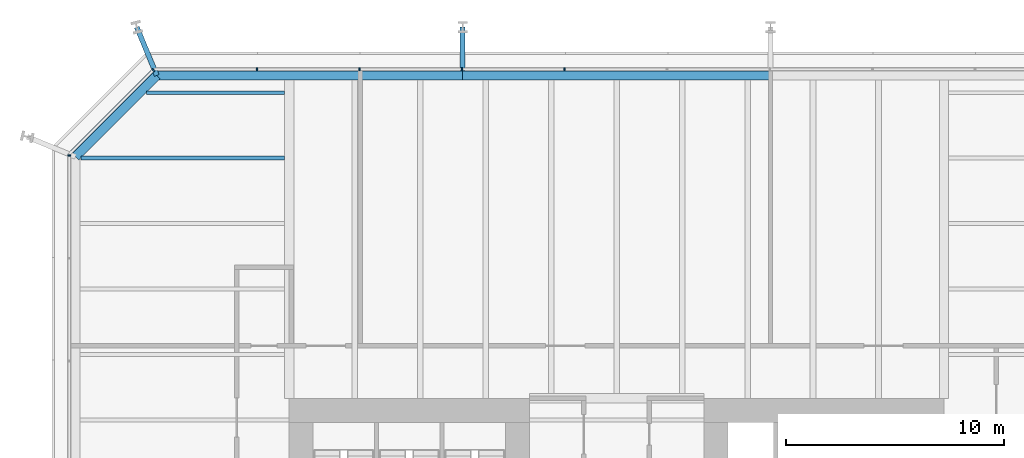
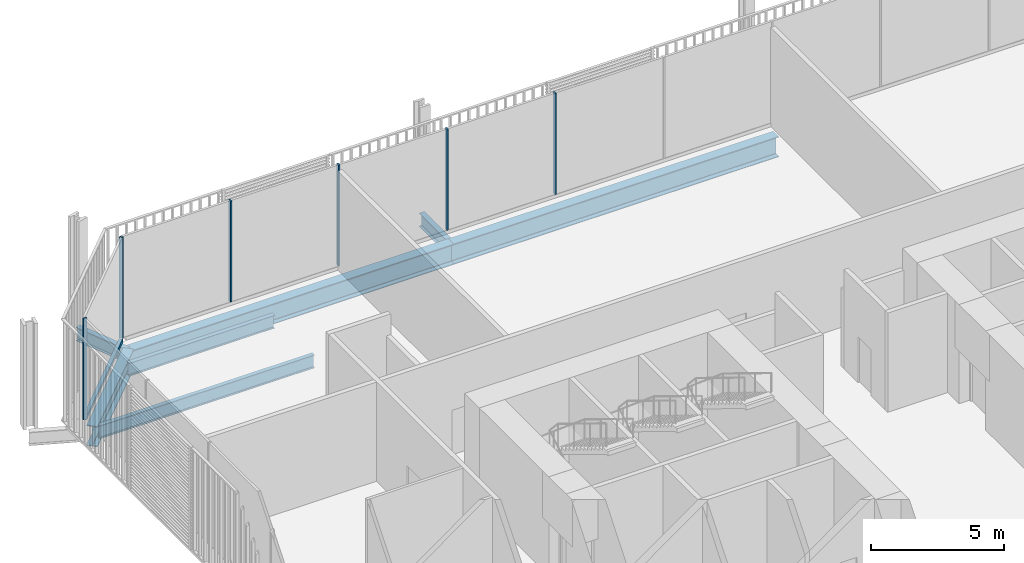
# One storey, part 14 of 22: 7 beams, 7 members, 3 elements without a shape of their own.
"""IFC4 building model written with IfcOpenShell, lengths in metres."""

from ifc_helpers import new_model, si_unit, direction, frame, origin, origin_2d, place, context, subcontext, project, spatial, rectangle, i_section, extrude, material, layer, layer_set, material_profile, profile_set, type_object, element, aggregate, save


model = new_model("IFC4")

# Units and contexts
model_context = context("Model", 3, precision=1e-05, world=origin(), true_north=direction((0.0, 1.0)))
body_context = subcontext(model_context, "Body", "Model", "MODEL_VIEW")
ifc_project = project(units=[si_unit("LENGTHUNIT", "METRE"), si_unit("AREAUNIT", "SQUARE_METRE"), si_unit("VOLUMEUNIT", "CUBIC_METRE"), si_unit("PLANEANGLEUNIT", "RADIAN"), si_unit("MASSUNIT", "GRAM", prefix="KILO")], contexts=[model_context])

# Site, building, storey
site_placement = place(None, origin())
site = spatial("IfcSite", under=ifc_project, at=site_placement, CompositionType="ELEMENT")
building_placement = place(site_placement, origin())
building = spatial("IfcBuilding", under=site, at=building_placement, Name="Millrace Tower", CompositionType="ELEMENT")
storey_placement = place(building_placement, frame((0.0, 0.0, 59.300048828125)))
storey = spatial("IfcBuildingStorey", under=building, at=storey_placement, Name="L13", CompositionType="ELEMENT", Elevation=59.300048828125)

# Curtain wall, members
ifc_material_1 = material(Name="Aluminium and glass", Category="aluminium")
ifc_layer = layer(ifc_material_1, 0.14990234375)
ifc_layer_set = layer_set([ifc_layer], Name="Aluminium and glass")
curtain_wall_type = type_object("IfcCurtainWallType", Name="CW-2 data hall insulated curtain wall", PredefinedType="NOTDEFINED", material=ifc_layer_set)
placement = place(storey_placement, origin())
curtain_wall_1 = element("IfcCurtainWall", 1, at=placement, inside=storey, type_object=curtain_wall_type, Name="Curtain wall A-F06 L13", PredefinedType="NOTDEFINED")
ifc_material_2 = material(Name="Aluminium", Category="aluminium")
ifc_material_profile_1 = material_profile(ifc_material_2, rectangle(XDim=0.06494140625, YDim=0.14990234375, at=origin_2d()))
ifc_profile_set_1 = profile_set([ifc_material_profile_1], Name="Aluminium")
member_type_1 = type_object("IfcMemberType", Name="CW-2 data hall insulated curtain wall mullion", PredefinedType="MULLION", material=ifc_profile_set_1)
member_1_placement = place(storey_placement, frame((-2.382568359375, 25.074951171875, 0.159912109375), z_axis=(0.0, 0.0, 1.0), x_axis=(-1.0, 0.0, 0.0)))
member_1 = element("IfcMember", 2, at=member_1_placement, type_object=member_type_1, Name="CW2 mullion A-F06.6", PredefinedType="MULLION", context=body_context, shape_type="SweptSolid", body=[
    extrude(rectangle(XDim=0.06494140625, YDim=0.14990234375, at=origin_2d()), origin(), (0.0, 0.0, 1.0), 4.64013671875),
])
member_2_placement = place(storey_placement, frame((-7.08251953125, 25.074951171875, 0.159912109375), z_axis=(0.0, 0.0, 1.0), x_axis=(-1.0, 0.0, 0.0)))
member_2 = element("IfcMember", 3, at=member_2_placement, type_object=member_type_1, Name="CW2 mullion A-F06.7", PredefinedType="MULLION", context=body_context, shape_type="SweptSolid", body=[
    extrude(rectangle(XDim=0.06494140625, YDim=0.14990234375, at=origin_2d()), origin(), (0.0, 0.0, 1.0), 4.64013671875),
])
member_3_placement = place(storey_placement, frame((-11.782470703125, 25.074951171875, 0.159912109375), z_axis=(0.0, 0.0, 1.0), x_axis=(-1.0, 0.0, 0.0)))
member_3 = element("IfcMember", 4, at=member_3_placement, type_object=member_type_1, Name="CW2 mullion A-F06.8", PredefinedType="MULLION", context=body_context, shape_type="SweptSolid", body=[
    extrude(rectangle(XDim=0.06494140625, YDim=0.14990234375, at=origin_2d()), origin(), (0.0, 0.0, 1.0), 4.64013671875),
])
member_4_placement = place(storey_placement, frame((-16.482421875, 25.074951171875, 0.159912109375), z_axis=(0.0, 0.0, 1.0), x_axis=(-1.0, 0.0, 0.0)))
member_4 = element("IfcMember", 5, at=member_4_placement, type_object=member_type_1, Name="CW2 mullion A-F06.9", PredefinedType="MULLION", context=body_context, shape_type="SweptSolid", body=[
    extrude(rectangle(XDim=0.06494140625, YDim=0.14990234375, at=origin_2d()), origin(), (0.0, 0.0, 1.0), 4.64013671875),
])
aggregate(curtain_wall_1, [member_1, member_2, member_3, member_4])

# Curtain wall, member
curtain_wall_2 = element("IfcCurtainWall", 6, at=placement, inside=storey, type_object=curtain_wall_type, Name="Curtain wall A-F07 L13", PredefinedType="NOTDEFINED")
member_5_placement = place(storey_placement, frame((-21.22607421875, 25.030029296875, 0.159912109375), z_axis=(0.0, 0.0, 1.0), x_axis=(-0.707106781187, -0.707106781187, 0.0)))
member_5 = element("IfcMember", 7, at=member_5_placement, type_object=member_type_1, Name="CW2 mullion A-F07.1", PredefinedType="MULLION", context=body_context, shape_type="SweptSolid", body=[
    extrude(rectangle(XDim=0.06494140625, YDim=0.14990234375, at=origin_2d()), origin(), (0.0, 0.0, 1.0), 4.64013671875),
])

curtain_wall_3 = element("IfcCurtainWall", 8, at=placement, inside=storey, type_object=curtain_wall_type, Name="Curtain wall A-F08 L13", PredefinedType="NOTDEFINED")
member_6_placement = place(storey_placement, frame((-25.074951171875, 21.117431640625, 0.159912109375), z_axis=(0.0, 0.0, 1.0), x_axis=(0.0, -1.0, 0.0)))
member_6 = element("IfcMember", 9, at=member_6_placement, type_object=member_type_1, Name="CW2 mullion A-F08.1", PredefinedType="MULLION", context=body_context, shape_type="SweptSolid", body=[
    extrude(rectangle(XDim=0.06494140625, YDim=0.14990234375, at=origin_2d()), origin(), (0.0, 0.0, 1.0), 4.64013671875),
])
aggregate(curtain_wall_3, [member_6])

# Member
ifc_material_3 = material(Name="Aluminium", Category="aluminium")
ifc_material_profile_2 = material_profile(ifc_material_3, rectangle(XDim=0.14990234375, YDim=0.159912109375, at=origin_2d()))
ifc_profile_set_2 = profile_set([ifc_material_profile_2], Name="Aluminium")
member_type_2 = type_object("IfcMemberType", Name="CW-2 data hall insulated curtain wall transom", PredefinedType="USERDEFINED", material=ifc_profile_set_2)
member_7_placement = place(storey_placement, frame((-21.273681640625, 24.982421875, 0.079833984375), z_axis=(-0.707106781187, -0.707106781187, 0.0), x_axis=(0.707106781187, -0.707106781187, 0.0)))
member_7 = element("IfcMember", 10, at=member_7_placement, type_object=member_type_2, Name="CW2 transom A-F07.1", ObjectType="TRANSOM", PredefinedType="USERDEFINED", context=body_context, shape_type="SweptSolid", body=[
    extrude(rectangle(XDim=0.14990234375, YDim=0.159912109375, at=origin_2d()), origin(), (0.0, 0.0, 1.0), 5.244873046875),
])

aggregate(curtain_wall_2, [member_5, member_7])

# Beams
ifc_material_4 = material(Name="Steel ASTM A992 Grade 50", Category="steel")
ifc_material_profile_3 = material_profile(ifc_material_4, i_section(OverallWidth=0.177978515625, OverallDepth=0.599365234375, WebThickness=0.010009765625, FlangeThickness=0.012939453125, FilletRadius=0.012939453125, at=origin_2d()))
ifc_profile_set_3 = profile_set([ifc_material_profile_3], Name="Steel ASTM A992 Grade 50")
beam_type_1 = type_object("IfcBeamType", Name="Floor beam W24x55", PredefinedType="JOIST", material=ifc_profile_set_3)
beam_1_placement = place(storey_placement, frame((-21.52978515625, 24.0, -0.524658203125), z_axis=(1.0, 0.0, 0.0), x_axis=(0.0, 1.0, 0.0)))
element("IfcBeam", 11, at=beam_1_placement, inside=storey, type_object=beam_type_1, Name="BM-A-L13-S1-S040", PredefinedType="JOIST", context=body_context, shape_type="SweptSolid", body=[
    extrude(i_section(OverallWidth=0.177978515625, OverallDepth=0.599365234375, WebThickness=0.010009765625, FlangeThickness=0.012939453125, FilletRadius=0.012939453125, at=origin_2d()), origin(), (0.0, 0.0, 1.0), 6.317626953125),
])
ifc_material_5 = material(Name="Steel ASTM A992 Grade 50", Category="steel")
ifc_material_profile_4 = material_profile(ifc_material_5, i_section(OverallWidth=0.1787109375, OverallDepth=0.60205078125, WebThickness=0.010986328125, FlangeThickness=0.014892578125, FilletRadius=0.0126953125, at=origin_2d()))
ifc_profile_set_4 = profile_set([ifc_material_profile_4], Name="Steel ASTM A992 Grade 50")
beam_type_2 = type_object("IfcBeamType", Name="Floor beam W24x62", PredefinedType="JOIST", material=ifc_profile_set_4)
beam_2_placement = place(storey_placement, frame((-24.52978515625, 21.0, -0.526123046875), z_axis=(1.0, 0.0, 0.0), x_axis=(0.0, 1.0, 0.0)))
element("IfcBeam", 12, at=beam_2_placement, inside=storey, type_object=beam_type_2, Name="BM-A-L13-S1-S038", PredefinedType="JOIST", context=body_context, shape_type="SweptSolid", body=[
    extrude(i_section(OverallWidth=0.1787109375, OverallDepth=0.60205078125, WebThickness=0.010986328125, FlangeThickness=0.014892578125, FilletRadius=0.0126953125, at=origin_2d()), origin(), (0.0, 0.0, 1.0), 9.317626953125),
])
ifc_material_6 = material(Name="Steel ASTM A992 Grade 50", Category="steel")
ifc_material_profile_5 = material_profile(ifc_material_6, i_section(OverallWidth=0.23046875, OverallDepth=0.6171875, WebThickness=0.01318359375, FlangeThickness=0.022216796875, FilletRadius=0.012939453125, at=origin_2d()))
ifc_profile_set_5 = profile_set([ifc_material_profile_5], Name="Steel ASTM A992 Grade 50")
beam_type_3 = type_object("IfcBeamType", Name="Link beam W24x94", PredefinedType="BEAM", material=ifc_profile_set_5)
beam_3_placement = place(storey_placement, frame((-21.062744140625, 24.7890625, -0.53369140625), z_axis=(-0.382673155247, 0.923883789366, 0.0), x_axis=(-0.923883789366, -0.382673155247, 0.0)))
element("IfcBeam", 13, at=beam_3_placement, inside=storey, type_object=beam_type_3, Name="LNK-A-L13-S1-05", PredefinedType="BEAM", context=body_context, shape_type="SweptSolid", body=[
    extrude(i_section(OverallWidth=0.23046875, OverallDepth=0.6171875, WebThickness=0.01318359375, FlangeThickness=0.022216796875, FilletRadius=0.012939453125, at=origin_2d()), origin(), (0.0, 0.0, 1.0), 2.39306640625),
])
beam_4_placement = place(storey_placement, frame((-7.050048828125, 25.0, -0.53369140625), z_axis=(0.0, 1.0, 0.0), x_axis=(-1.0, 0.0, 0.0)))
element("IfcBeam", 14, at=beam_4_placement, inside=storey, type_object=beam_type_3, Name="LNK-A-L13-S1-06", PredefinedType="BEAM", context=body_context, shape_type="SweptSolid", body=[
    extrude(i_section(OverallWidth=0.23046875, OverallDepth=0.6171875, WebThickness=0.01318359375, FlangeThickness=0.022216796875, FilletRadius=0.012939453125, at=origin_2d()), origin(), (0.0, 0.0, 1.0), 2.0),
])
ifc_material_7 = material(Name="Steel ASTM A992 Grade 50", Category="steel")
ifc_material_profile_6 = material_profile(ifc_material_7, i_section(OverallWidth=0.421630859375, OverallDepth=0.937255859375, WebThickness=0.021240234375, FlangeThickness=0.03662109375, FilletRadius=0.024169921875, at=origin_2d()))
ifc_profile_set_6 = profile_set([ifc_material_profile_6], Name="Steel ASTM A992 Grade 50")
beam_type_4 = type_object("IfcBeamType", Name="Ring beam medium span W36x262", PredefinedType="SPANDREL", material=ifc_profile_set_6)
beam_5_placement = place(storey_placement, frame((-21.062744140625, 24.7890625, -0.693603515625), z_axis=(1.0, 0.0, 0.0), x_axis=(0.0, 1.0, 0.0)))
element("IfcBeam", 15, at=beam_5_placement, inside=storey, type_object=beam_type_4, Name="RNG-A-L13-S1-05", PredefinedType="SPANDREL", context=body_context, shape_type="SweptSolid", body=[
    extrude(i_section(OverallWidth=0.421630859375, OverallDepth=0.937255859375, WebThickness=0.021240234375, FlangeThickness=0.03662109375, FilletRadius=0.024169921875, at=origin_2d()), origin(), (0.0, 0.0, 1.0), 14.0126953125),
])
beam_6_placement = place(storey_placement, frame((-7.050048828125, 24.7890625, -0.693603515625), z_axis=(1.0, 0.0, 0.0), x_axis=(0.0, 1.0, 0.0)))
element("IfcBeam", 16, at=beam_6_placement, inside=storey, type_object=beam_type_4, Name="RNG-A-L13-S1-06", PredefinedType="SPANDREL", context=body_context, shape_type="SweptSolid", body=[
    extrude(i_section(OverallWidth=0.421630859375, OverallDepth=0.937255859375, WebThickness=0.021240234375, FlangeThickness=0.03662109375, FilletRadius=0.024169921875, at=origin_2d()), origin(), (0.0, 0.0, 1.0), 14.10009765625),
])
ifc_material_8 = material(Name="Steel ASTM A992 Grade 50", Category="steel")
ifc_material_profile_7 = material_profile(ifc_material_8, i_section(OverallWidth=0.421630859375, OverallDepth=0.937255859375, WebThickness=0.021240234375, FlangeThickness=0.03662109375, FilletRadius=0.024169921875, at=origin_2d()))
ifc_profile_set_7 = profile_set([ifc_material_profile_7], Name="Steel ASTM A992 Grade 50")
beam_type_5 = type_object("IfcBeamType", Name="Ring beam short span W36x262", PredefinedType="SPANDREL", material=ifc_profile_set_7)
beam_7_placement = place(storey_placement, frame((-24.7890625, 21.062744140625, -0.693603515625), z_axis=(0.707106781187, 0.707106781187, 0.0), x_axis=(-0.707106781187, 0.707106781187, 0.0)))
element("IfcBeam", 17, at=beam_7_placement, inside=storey, type_object=beam_type_5, Name="RNG-A-L13-S1-04", PredefinedType="SPANDREL", context=body_context, shape_type="SweptSolid", body=[
    extrude(i_section(OverallWidth=0.421630859375, OverallDepth=0.937255859375, WebThickness=0.021240234375, FlangeThickness=0.03662109375, FilletRadius=0.024169921875, at=origin_2d()), origin(), (0.0, 0.0, 1.0), 5.269775390625),
])

save(model, "model.ifc")
